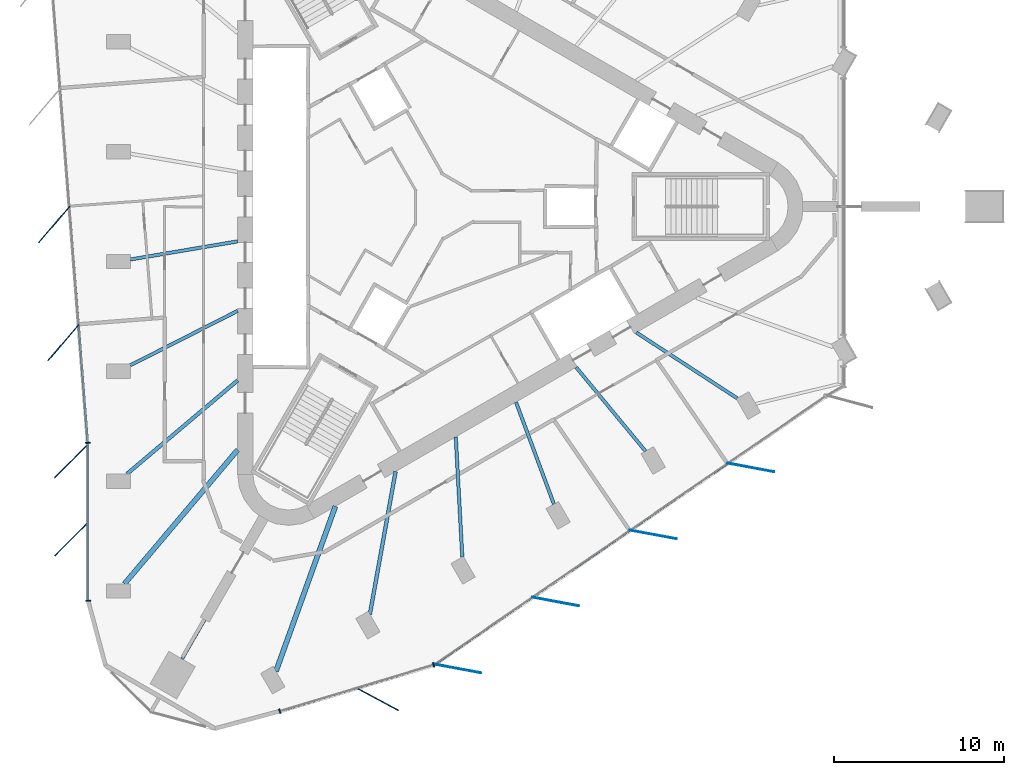
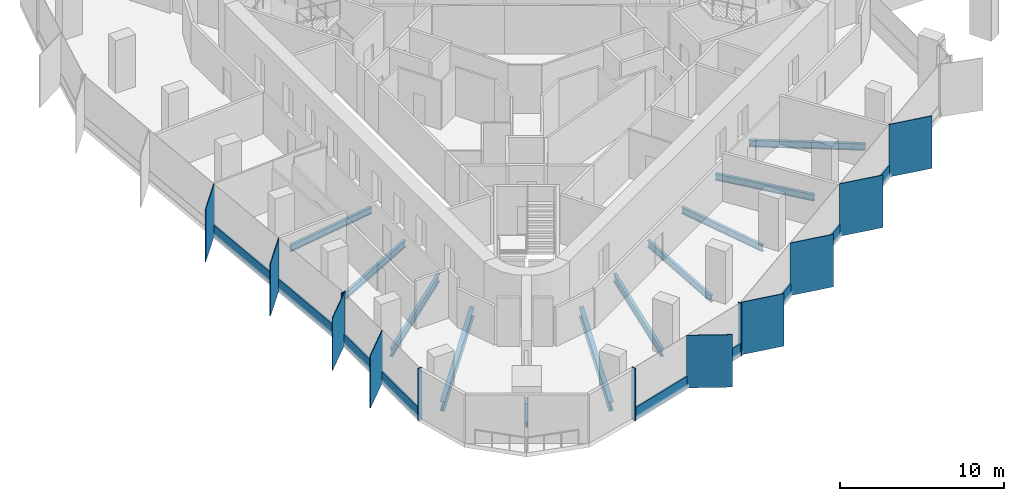
# One storey, part 2 of 12: 22 members, 11 beams, 4 elements without a shape of their own.
"""IFC4 building model written with IfcOpenShell, lengths in metres."""

import ifcopenshell
import ifcopenshell.guid

model = None  # the IFC model being written
_history = None  # IfcOwnerHistory: only IFC2X3 demands one
_inside = {}  # id of a spatial element -> (the spatial element, [elements in it])
_under = {}  # id of a project, library or spatial element -> (it, [spatial elements below it])
_declared = {}  # id of a project -> (the project, [libraries it declares])
_typed = {}  # id of a type object -> (the type object, [elements of that type])
_made_of = {}  # id of a material, layer set ... -> (it, [elements and type objects made of it])


def new_model(schema):
    """Start an empty IFC model of exactly this schema.

    Asked for "IFC4X3", IfcOpenShell would pick the latest addendum, in which some entities
    have other attributes; the version numbers below select the first issue.
    IFC2X3 requires an IfcOwnerHistory on every rooted entity: one is made here for all.
    """
    global model, _history
    if schema == "IFC4X3":
        model = ifcopenshell.file(schema_version=(4, 3, 0, 0))
    else:
        model = ifcopenshell.file(schema=schema)
    _inside.clear()
    _under.clear()
    _declared.clear()
    _typed.clear()
    _made_of.clear()
    _history = None
    if model.schema == "IFC2X3":
        org = make("IfcOrganization", Name="unknown")
        user = make(
            "IfcPersonAndOrganization",
            ThePerson=make("IfcPerson", FamilyName="unknown"),
            TheOrganization=org,
        )
        app = make(
            "IfcApplication",
            ApplicationDeveloper=org,
            Version="unknown",
            ApplicationFullName="unknown",
            ApplicationIdentifier="unknown",
        )
        _history = make(
            "IfcOwnerHistory",
            OwningUser=user,
            OwningApplication=app,
            ChangeAction="ADDED",
            CreationDate=0,
        )
    return model


def make(cls, **values):
    """One entity of the class cls with the attributes given. An attribute that is None is left unset."""
    return model.create_entity(
        cls, **{name: value for name, value in values.items() if value is not None}
    )


def rooted(cls, **values):
    """An entity with a GlobalId (a new one), such as an element, a storey or a relation."""
    return make(cls, GlobalId=ifcopenshell.guid.new(), OwnerHistory=_history, **values)


def si_unit(unit_type, name, prefix=None):
    """IfcSIUnit, for example si_unit("LENGTHUNIT", "METRE", prefix="MILLI")."""
    return make("IfcSIUnit", UnitType=unit_type, Prefix=prefix, Name=name)


def assignment(units):
    """IfcUnitAssignment: the units of a project."""
    return None if units is None else make("IfcUnitAssignment", Units=units)


def point(xyz):
    """IfcCartesianPoint."""
    return None if xyz is None else make("IfcCartesianPoint", Coordinates=xyz)


def direction(xyz):
    """IfcDirection."""
    return None if xyz is None else make("IfcDirection", DirectionRatios=xyz)


def frame(location, z_axis=None, x_axis=None):
    """IfcAxis2Placement3D, a coordinate frame: its origin and axes. An axis left out is left unset."""
    return make(
        "IfcAxis2Placement3D",
        Location=point(location),
        Axis=direction(z_axis),
        RefDirection=direction(x_axis),
    )


def frame_2d(location, x_axis=None):
    """IfcAxis2Placement2D, a coordinate frame in the plane: its origin and x axis."""
    return make(
        "IfcAxis2Placement2D", Location=point(location), RefDirection=direction(x_axis)
    )


def origin():
    """The frame at (0, 0, 0) with its axes left unset."""
    return frame((0.0, 0.0, 0.0))


def origin_2d():
    """The frame at (0, 0) in the plane with its x axis left unset."""
    return frame_2d((0.0, 0.0))


def place(relative_to, where):
    """IfcLocalPlacement: puts the frame where relative to a parent placement (None: the world)."""
    return make(
        "IfcLocalPlacement", PlacementRelTo=relative_to, RelativePlacement=where
    )


def context(
    kind, dimensions, precision=None, world=None, true_north=None, identifier=None
):
    """IfcGeometricRepresentationContext, for example the 3D "Model" context."""
    return make(
        "IfcGeometricRepresentationContext",
        ContextIdentifier=identifier,
        ContextType=kind,
        CoordinateSpaceDimension=dimensions,
        Precision=precision,
        WorldCoordinateSystem=world,
        TrueNorth=true_north,
    )


def subcontext(parent, identifier, kind, view, scale=None):
    """IfcGeometricRepresentationSubContext, for example "Body" below "Model"."""
    return make(
        "IfcGeometricRepresentationSubContext",
        ContextIdentifier=identifier,
        ContextType=kind,
        ParentContext=parent,
        TargetScale=scale,
        TargetView=view,
    )


def project(units=None, contexts=None):
    """IfcProject with its units and contexts."""
    return rooted(
        "IfcProject",
        Name="project",
        RepresentationContexts=contexts,
        UnitsInContext=assignment(units),
    )


def spatial(cls, under=None, at=None, **own):
    """A site, building, storey or space (cls), placed at a placement, below another one or the project."""
    s = rooted(cls, ObjectPlacement=at, **own)
    if under is not None:
        _under.setdefault(under.id(), (under, []))[1].append(s)
    return s


def profile(cls, at=None, kind="AREA", **sizes):
    """A parametric profile (cls). Its sizes go by their IFC names, for example OverallWidth=200.0."""
    return make(cls, ProfileType=kind, Position=at, **sizes)


def rectangle(**sizes):
    """IfcRectangleProfileDef."""
    return profile("IfcRectangleProfileDef", **sizes)


def i_section(**sizes):
    """IfcIShapeProfileDef."""
    return profile("IfcIShapeProfileDef", **sizes)


def extrude(swept, where, along, depth):
    """IfcExtrudedAreaSolid: the profile swept, set in the frame where, extruded along a direction by depth."""
    return make(
        "IfcExtrudedAreaSolid",
        SweptArea=swept,
        Position=where,
        ExtrudedDirection=direction(along),
        Depth=depth,
    )


def shape(context_of_items, identifier, shape_type, items):
    """IfcShapeRepresentation: the items that make up one representation, for example the "Body"."""
    return make(
        "IfcShapeRepresentation",
        ContextOfItems=context_of_items,
        RepresentationIdentifier=identifier,
        RepresentationType=shape_type,
        Items=items,
    )


def material(Name=None, Category=None):
    """IfcMaterial."""
    return make("IfcMaterial", Name=Name, Category=Category)


def material_profile(
    of_material, cross_section, Name=None, Category=None, Priority=None
):
    """IfcMaterialProfile: a cross section and its material."""
    return make(
        "IfcMaterialProfile",
        Name=Name,
        Material=of_material,
        Profile=cross_section,
        Priority=Priority,
        Category=Category,
    )


def profile_set(profiles, Name=None, composite=None):
    """IfcMaterialProfileSet."""
    return make(
        "IfcMaterialProfileSet",
        Name=Name,
        MaterialProfiles=profiles,
        CompositeProfile=composite,
    )


def made_of(thing, what):
    """Note that an element or type object is made of a material, layer set ...; save() writes the relation."""
    if what is not None:
        _made_of.setdefault(what.id(), (what, []))[1].append(thing)
    return thing


def type_object(cls, material=None, **own):
    """A type object (cls), such as IfcWallType, which elements share."""
    return made_of(rooted(cls, **own), material)


def element(
    cls,
    number,
    at=None,
    inside=None,
    cuts=None,
    type_object=None,
    material=None,
    context=None,
    identifier="Body",
    shape_type=None,
    held_by="IfcProductDefinitionShape",
    body=None,
    shapes=None,
    **own,
):
    """One element of the class cls, such as IfcWall. Its Tag is "e" and its number.

    at: its placement. inside: the storey or other place that contains it. cuts: it is an
    opening in that element (IfcRelVoidsElement). A single representation is given by context,
    identifier, shape_type and body (its items); several are given by shapes. held_by: the class
    of the entity that holds the representations. save() writes the other relations.
    """
    e = rooted(cls, Tag="e%d" % number, ObjectPlacement=at, **own)
    if body is not None:
        shapes = [shape(context, identifier, shape_type, body)]
    if shapes is not None:
        e.Representation = make(held_by, Representations=shapes)
    if inside is not None:
        _inside.setdefault(inside.id(), (inside, []))[1].append(e)
    if cuts is not None:
        rooted(
            "IfcRelVoidsElement", RelatingBuildingElement=cuts, RelatedOpeningElement=e
        )
    if type_object is not None:
        _typed.setdefault(type_object.id(), (type_object, []))[1].append(e)
    return made_of(e, material)


def aggregate(whole, parts):
    """IfcRelAggregates: a whole, such as a stair, and the parts it consists of."""
    return rooted("IfcRelAggregates", RelatingObject=whole, RelatedObjects=parts)


def save(model, path):
    """Write the relations noted so far, then the file.

    IfcRelAggregates (storeys below a building ...), IfcRelContainedInSpatialStructure (elements
    in a storey), IfcRelDefinesByType, IfcRelAssociatesMaterial and IfcRelDeclares: one each for
    every whole, place, type object, material and project.
    """
    for whole, parts in _under.values():
        aggregate(whole, parts)
    for where, things in _inside.values():
        rooted(
            "IfcRelContainedInSpatialStructure",
            RelatedElements=things,
            RelatingStructure=where,
        )
    for kind, things in _typed.values():
        rooted("IfcRelDefinesByType", RelatedObjects=things, RelatingType=kind)
    for what, things in _made_of.values():
        rooted("IfcRelAssociatesMaterial", RelatedObjects=things, RelatingMaterial=what)
    for by, libraries in _declared.values():
        rooted("IfcRelDeclares", RelatingContext=by, RelatedDefinitions=libraries)
    model.write(path)


model = new_model("IFC4")

# Units and contexts
model_context = context("Model", 3, precision=1e-05, world=origin(), true_north=direction((0.0, 1.0)))
body_context = subcontext(model_context, "Body", "Model", "MODEL_VIEW")
ifc_project = project(units=[si_unit("LENGTHUNIT", "METRE"), si_unit("AREAUNIT", "SQUARE_METRE"), si_unit("VOLUMEUNIT", "CUBIC_METRE"), si_unit("PLANEANGLEUNIT", "RADIAN"), si_unit("MASSUNIT", "GRAM", prefix="KILO")], contexts=[model_context])

# Site, building, storey
site_placement = place(None, origin())
site = spatial("IfcSite", under=ifc_project, at=site_placement, CompositionType="ELEMENT")
building_placement = place(site_placement, origin())
building = spatial("IfcBuilding", under=site, at=building_placement, Name="Tanit Gate Tower", CompositionType="ELEMENT")
storey_placement = place(building_placement, frame((0.0, 0.0, 376.699951171875)))
storey = spatial("IfcBuildingStorey", under=building, at=storey_placement, Name="L86", CompositionType="ELEMENT", Elevation=376.699951171875)

# Curtain wall, members
ifc_material_1 = material(Name="Aluminium bronze anodised and glass", Category="aluminium")
curtain_wall_type = type_object("IfcCurtainWallType", Name="Curtain wall typical high", PredefinedType="NOTDEFINED", material=ifc_material_1)
curtain_wall_1_placement = place(storey_placement, origin())
curtain_wall_1 = element("IfcCurtainWall", 1, at=curtain_wall_1_placement, inside=storey, type_object=curtain_wall_type, Name="Curtain wall L86 W2", PredefinedType="NOTDEFINED")
ifc_material_2 = material(Name="Aluminium bronze anodised", Category="aluminium")
ifc_material_profile_1 = material_profile(ifc_material_2, rectangle(XDim=2.800048828125, YDim=0.055908203125, at=origin_2d()), Name="56x2800 bronze fin mullion")
ifc_profile_set_1 = profile_set([ifc_material_profile_1], Name="Aluminium bronze anodised")
member_type_1 = type_object("IfcMemberType", Name="FIN MULLION 56x2800 bronze", PredefinedType="MULLION", material=ifc_profile_set_1)
member_1_placement = place(storey_placement, frame((-22.896484375, -1.051025390625, -0.300048828125), z_axis=(0.0, 0.0, 1.0), x_axis=(0.650025975428, 0.75991198916, 0.0)))
member_1 = element("IfcMember", 2, at=member_1_placement, type_object=member_type_1, Name="Fin mullion L86 W2.3", PredefinedType="MULLION", context=body_context, shape_type="SweptSolid", body=[
    extrude(rectangle(XDim=2.800048828125, YDim=0.055908203125, at=origin_2d()), origin(), (0.0, 0.0, 1.0), 3.900146484375),
])
member_2_placement = place(storey_placement, frame((-22.354736328125, -8.002685546875, -0.300048828125), z_axis=(0.0, 0.0, 1.0), x_axis=(0.650025975428, 0.75991198916, 0.0)))
member_2 = element("IfcMember", 3, at=member_2_placement, type_object=member_type_1, Name="Fin mullion L86 W2.4", PredefinedType="MULLION", context=body_context, shape_type="SweptSolid", body=[
    extrude(rectangle(XDim=2.800048828125, YDim=0.055908203125, at=origin_2d()), origin(), (0.0, 0.0, 1.0), 3.900146484375),
])

curtain_wall_2_placement = place(storey_placement, origin())
curtain_wall_2 = element("IfcCurtainWall", 4, at=curtain_wall_2_placement, inside=storey, type_object=curtain_wall_type, Name="Curtain wall L86 W3", PredefinedType="NOTDEFINED")
member_3_placement = place(storey_placement, frame((-21.88720703125, -14.962890625, -0.300048828125), z_axis=(0.0, 0.0, 1.0), x_axis=(0.706136122136, 0.70807610962, 0.0)))
member_3 = element("IfcMember", 5, at=member_3_placement, type_object=member_type_1, Name="Fin mullion L86 W3.1", PredefinedType="MULLION", context=body_context, shape_type="SweptSolid", body=[
    extrude(rectangle(XDim=2.800048828125, YDim=0.055908203125, at=origin_2d()), origin(), (0.0, 0.0, 1.0), 3.900146484375),
])
member_4_placement = place(storey_placement, frame((-21.880859375, -19.5673828125, -0.300048828125), z_axis=(0.0, 0.0, 1.0), x_axis=(0.706136122136, 0.70807610962, 0.0)))
member_4 = element("IfcMember", 6, at=member_4_placement, type_object=member_type_1, Name="Fin mullion L86 W3.2", PredefinedType="MULLION", context=body_context, shape_type="SweptSolid", body=[
    extrude(rectangle(XDim=2.800048828125, YDim=0.055908203125, at=origin_2d()), origin(), (0.0, 0.0, 1.0), 3.900146484375),
])

# Curtain wall, member
curtain_wall_3_placement = place(storey_placement, origin())
curtain_wall_3 = element("IfcCurtainWall", 7, at=curtain_wall_3_placement, inside=storey, type_object=curtain_wall_type, Name="Curtain wall L86 SE1", PredefinedType="NOTDEFINED")
member_5_placement = place(storey_placement, frame((-3.87841796875, -28.991455078125, -0.300048828125), z_axis=(0.0, 0.0, 1.0), x_axis=(-0.881019262525, 0.473080393866, 0.0)))
member_5 = element("IfcMember", 8, at=member_5_placement, type_object=member_type_1, Name="Fin mullion L86 SE1.2", PredefinedType="MULLION", context=body_context, shape_type="SweptSolid", body=[
    extrude(rectangle(XDim=2.800048828125, YDim=0.055908203125, at=origin_2d()), origin(), (0.0, 0.0, 1.0), 3.900146484375),
])

# Curtain wall, members
curtain_wall_4_placement = place(storey_placement, origin())
curtain_wall_4 = element("IfcCurtainWall", 9, at=curtain_wall_4_placement, inside=storey, type_object=curtain_wall_type, Name="Curtain wall L86 SE2", PredefinedType="NOTDEFINED")
member_6_placement = place(storey_placement, frame((0.859619140625, -27.193603515625, -0.300048828125), z_axis=(0.0, 0.0, 1.0), x_axis=(-0.983116074967, 0.182983013261, 0.0)))
member_6 = element("IfcMember", 10, at=member_6_placement, type_object=member_type_1, Name="Fin mullion L86 SE2.1", PredefinedType="MULLION", context=body_context, shape_type="SweptSolid", body=[
    extrude(rectangle(XDim=2.800048828125, YDim=0.055908203125, at=origin_2d()), origin(), (0.0, 0.0, 1.0), 3.900146484375),
])
member_7_placement = place(storey_placement, frame((6.609130859375, -23.24853515625, -0.300048828125), z_axis=(0.0, 0.0, 1.0), x_axis=(-0.983116074967, 0.182983013261, 0.0)))
member_7 = element("IfcMember", 11, at=member_7_placement, type_object=member_type_1, Name="Fin mullion L86 SE2.2", PredefinedType="MULLION", context=body_context, shape_type="SweptSolid", body=[
    extrude(rectangle(XDim=2.800048828125, YDim=0.055908203125, at=origin_2d()), origin(), (0.0, 0.0, 1.0), 3.900146484375),
])
member_8_placement = place(storey_placement, frame((12.358642578125, -19.303466796875, -0.300048828125), z_axis=(0.0, 0.0, 1.0), x_axis=(-0.983116074967, 0.182983013261, 0.0)))
member_8 = element("IfcMember", 12, at=member_8_placement, type_object=member_type_1, Name="Fin mullion L86 SE2.3", PredefinedType="MULLION", context=body_context, shape_type="SweptSolid", body=[
    extrude(rectangle(XDim=2.800048828125, YDim=0.055908203125, at=origin_2d()), origin(), (0.0, 0.0, 1.0), 3.900146484375),
])
member_9_placement = place(storey_placement, frame((18.10791015625, -15.3583984375, -0.300048828125), z_axis=(0.0, 0.0, 1.0), x_axis=(-0.983116074967, 0.182983013261, 0.0)))
member_9 = element("IfcMember", 13, at=member_9_placement, type_object=member_type_1, Name="Fin mullion L86 SE2.4", PredefinedType="MULLION", context=body_context, shape_type="SweptSolid", body=[
    extrude(rectangle(XDim=2.800048828125, YDim=0.055908203125, at=origin_2d()), origin(), (0.0, 0.0, 1.0), 3.900146484375),
])

# Member
ifc_material_3 = material(Name="Aluminium bronze anodised", Category="aluminium")
ifc_material_profile_2 = material_profile(ifc_material_3, rectangle(XDim=0.280029296875, YDim=0.080078125, at=origin_2d()), Name="80x280 bronze mullion")
ifc_profile_set_2 = profile_set([ifc_material_profile_2], Name="Aluminium bronze anodised")
member_type_2 = type_object("IfcMemberType", Name="Mullion 80x280 typical high", PredefinedType="MULLION", material=ifc_profile_set_2)
member_10_placement = place(storey_placement, frame((-20.915771484375, -13.90576171875, -0.300048828125), z_axis=(0.0, 0.0, 1.0), x_axis=(0.996976695812, 0.077701145467, 0.0)))
member_10 = element("IfcMember", 14, at=member_10_placement, type_object=member_type_2, Name="Mullion L86 W2.5", PredefinedType="MULLION", context=body_context, shape_type="SweptSolid", body=[
    extrude(rectangle(XDim=0.280029296875, YDim=0.080078125, at=origin_2d()), origin(), (0.0, 0.0, 1.0), 3.900146484375),
])

member_11_placement = place(storey_placement, frame((-20.89990234375, -23.194580078125, -0.300048828125), z_axis=(0.0, 0.0, 1.0), x_axis=(0.999999059112, 0.001371778306, 0.0)))
member_11 = element("IfcMember", 15, at=member_11_placement, type_object=member_type_2, Name="Mullion L86 W3.3", PredefinedType="MULLION", context=body_context, shape_type="SweptSolid", body=[
    extrude(rectangle(XDim=0.280029296875, YDim=0.080078125, at=origin_2d()), origin(), (0.0, 0.0, 1.0), 3.900146484375),
])

member_12_placement = place(storey_placement, frame((-9.6201171875, -29.7021484375, -0.300048828125), z_axis=(0.0, 0.0, 1.0), x_axis=(-0.288456340338, 0.957493049436, 0.0)))
member_12 = element("IfcMember", 16, at=member_12_placement, type_object=member_type_2, Name="Mullion L86 SE1.1", PredefinedType="MULLION", context=body_context, shape_type="SweptSolid", body=[
    extrude(rectangle(XDim=0.280029296875, YDim=0.080078125, at=origin_2d()), origin(), (0.0, 0.0, 1.0), 3.900146484375),
])

member_13_placement = place(storey_placement, frame((-0.568603515625, -26.97509765625, -0.300048828125), z_axis=(0.0, 0.0, 1.0), x_axis=(-0.288456340338, 0.957493049436, 0.0)))
member_13 = element("IfcMember", 17, at=member_13_placement, type_object=member_type_2, Name="Mullion L86 SE1.3", PredefinedType="MULLION", context=body_context, shape_type="SweptSolid", body=[
    extrude(rectangle(XDim=0.280029296875, YDim=0.080078125, at=origin_2d()), origin(), (0.0, 0.0, 1.0), 3.900146484375),
])

# Beams
ifc_material_4 = material(Name="Steel S355", Category="steel")
ifc_material_profile_3 = material_profile(ifc_material_4, i_section(OverallWidth=0.300048828125, OverallDepth=0.68994140625, WebThickness=0.014404296875, FlangeThickness=0.027099609375, FilletRadius=0.027099609375, at=origin_2d()), Name="HEA 700")
ifc_profile_set_3 = profile_set([ifc_material_profile_3], Name="Steel S355")
beam_type_1 = type_object("IfcBeamType", Name="RADIAL GIRDER HEA 700 S355", PredefinedType="BEAM", material=ifc_profile_set_3)
beam_1_placement = place(storey_placement, frame((-18.7607421875, -22.198486328125, -0.64501953125), z_axis=(0.645485929832, 0.763772161308, 0.0), x_axis=(-0.763772161308, 0.645485929832, 0.0)))
element("IfcBeam", 18, at=beam_1_placement, inside=storey, type_object=beam_type_1, Name="RADIAL GIRDER", PredefinedType="BEAM", context=body_context, shape_type="SweptSolid", body=[
    extrude(i_section(OverallWidth=0.300048828125, OverallDepth=0.68994140625, WebThickness=0.014404296875, FlangeThickness=0.027099609375, FilletRadius=0.027099609375, at=origin_2d()), origin(), (0.0, 0.0, 1.0), 10.315673828125),
])
beam_2_placement = place(storey_placement, frame((-9.84423828125, -27.346435546875, -0.64501953125), z_axis=(0.338716116064, 0.940888618657, 0.0), x_axis=(-0.940888618657, 0.338716116064, 0.0)))
element("IfcBeam", 19, at=beam_2_placement, inside=storey, type_object=beam_type_1, Name="RADIAL GIRDER", PredefinedType="BEAM", context=body_context, shape_type="SweptSolid", body=[
    extrude(i_section(OverallWidth=0.300048828125, OverallDepth=0.68994140625, WebThickness=0.014404296875, FlangeThickness=0.027099609375, FilletRadius=0.027099609375, at=origin_2d()), origin(), (0.0, 0.0, 1.0), 10.31591796875),
])
ifc_material_5 = material(Name="Steel S355", Category="steel")
ifc_material_profile_4 = material_profile(ifc_material_5, i_section(OverallWidth=0.179931640625, OverallDepth=0.39990234375, WebThickness=0.008544921875, FlangeThickness=0.013427734375, FilletRadius=0.02099609375, at=origin_2d()), Name="IPE 400")
ifc_profile_set_4 = profile_set([ifc_material_profile_4], Name="Steel S355")
beam_type_2 = type_object("IfcBeamType", Name="RADIAL GIRDER IPE 400 S355", PredefinedType="BEAM", material=ifc_profile_set_4)
beam_3_placement = place(storey_placement, frame((-15.371826171875, -26.624755859375, -0.5), z_axis=(0.500020336772, 0.866013662025, 0.0), x_axis=(-0.866013662025, 0.500020336772, 0.0)))
element("IfcBeam", 20, at=beam_3_placement, inside=storey, type_object=beam_type_2, Name="RADIAL GIRDER", PredefinedType="BEAM", context=body_context, shape_type="SweptSolid", body=[
    extrude(i_section(OverallWidth=0.179931640625, OverallDepth=0.39990234375, WebThickness=0.008544921875, FlangeThickness=0.013427734375, FilletRadius=0.02099609375, at=origin_2d()), origin(), (0.0, 0.0, 1.0), 2.67236328125),
])
ifc_material_6 = material(Name="Steel S355", Category="steel")
ifc_material_profile_5 = material_profile(ifc_material_6, i_section(OverallWidth=0.199951171875, OverallDepth=0.5, WebThickness=0.01025390625, FlangeThickness=0.01611328125, FilletRadius=0.02099609375, at=origin_2d()), Name="IPE 500")
ifc_profile_set_5 = profile_set([ifc_material_profile_5], Name="Steel S355")
beam_type_3 = type_object("IfcBeamType", Name="RADIAL GIRDER IPE 500 S355", PredefinedType="BEAM", material=ifc_profile_set_5)
beam_4_placement = place(storey_placement, frame((-18.419921875, -3.113525390625, -0.550048828125), z_axis=(0.986014426504, 0.166659985375, 0.0), x_axis=(-0.166659985375, 0.986014426504, 0.0)))
element("IfcBeam", 21, at=beam_4_placement, inside=storey, type_object=beam_type_3, Name="RADIAL GIRDER", PredefinedType="BEAM", context=body_context, shape_type="SweptSolid", body=[
    extrude(i_section(OverallWidth=0.199951171875, OverallDepth=0.5, WebThickness=0.01025390625, FlangeThickness=0.01611328125, FilletRadius=0.02099609375, at=origin_2d()), origin(), (0.0, 0.0, 1.0), 6.407470703125),
])
beam_5_placement = place(storey_placement, frame((-18.419921875, -9.3408203125, -0.550048828125), z_axis=(0.891876205065, 0.452279598078, 0.0), x_axis=(-0.452279598078, 0.891876205065, 0.0)))
element("IfcBeam", 22, at=beam_5_placement, inside=storey, type_object=beam_type_3, Name="RADIAL GIRDER", PredefinedType="BEAM", context=body_context, shape_type="SweptSolid", body=[
    extrude(i_section(OverallWidth=0.199951171875, OverallDepth=0.5, WebThickness=0.01025390625, FlangeThickness=0.01611328125, FilletRadius=0.02099609375, at=origin_2d()), origin(), (0.0, 0.0, 1.0), 7.083740234375),
])
beam_6_placement = place(storey_placement, frame((1.12060546875, -20.62255859375, -0.550048828125), z_axis=(-0.054280812933, 0.998525709908, 0.0), x_axis=(-0.998525709908, -0.054280812933, 0.0)))
element("IfcBeam", 23, at=beam_6_placement, inside=storey, type_object=beam_type_3, Name="RADIAL GIRDER", PredefinedType="BEAM", context=body_context, shape_type="SweptSolid", body=[
    extrude(i_section(OverallWidth=0.199951171875, OverallDepth=0.5, WebThickness=0.01025390625, FlangeThickness=0.01611328125, FilletRadius=0.02099609375, at=origin_2d()), origin(), (0.0, 0.0, 1.0), 7.083984375),
])
beam_7_placement = place(storey_placement, frame((6.513427734375, -17.5087890625, -0.550048828125), z_axis=(-0.348675335888, 0.93724357034, 0.0), x_axis=(-0.93724357034, -0.348675335888, 0.0)))
element("IfcBeam", 24, at=beam_7_placement, inside=storey, type_object=beam_type_3, Name="RADIAL GIRDER", PredefinedType="BEAM", context=body_context, shape_type="SweptSolid", body=[
    extrude(i_section(OverallWidth=0.199951171875, OverallDepth=0.5, WebThickness=0.01025390625, FlangeThickness=0.01611328125, FilletRadius=0.02099609375, at=origin_2d()), origin(), (0.0, 0.0, 1.0), 6.407470703125),
])
beam_8_placement = place(storey_placement, frame((11.906494140625, -14.395263671875, -0.550048828125), z_axis=(-0.637361830259, 0.770564661355, 0.0), x_axis=(-0.770564661355, -0.637361830259, 0.0)))
element("IfcBeam", 25, at=beam_8_placement, inside=storey, type_object=beam_type_3, Name="RADIAL GIRDER", PredefinedType="BEAM", context=body_context, shape_type="SweptSolid", body=[
    extrude(i_section(OverallWidth=0.199951171875, OverallDepth=0.5, WebThickness=0.01025390625, FlangeThickness=0.01611328125, FilletRadius=0.02099609375, at=origin_2d()), origin(), (0.0, 0.0, 1.0), 6.40771484375),
])
beam_9_placement = place(storey_placement, frame((17.29931640625, -11.28173828125, -0.550048828125), z_axis=(-0.837617453042, 0.546257267557, 0.0), x_axis=(-0.546257267557, -0.837617453042, 0.0)))
element("IfcBeam", 26, at=beam_9_placement, inside=storey, type_object=beam_type_3, Name="RADIAL GIRDER", PredefinedType="BEAM", context=body_context, shape_type="SweptSolid", body=[
    extrude(i_section(OverallWidth=0.199951171875, OverallDepth=0.5, WebThickness=0.01025390625, FlangeThickness=0.01611328125, FilletRadius=0.02099609375, at=origin_2d()), origin(), (0.0, 0.0, 1.0), 7.083984375),
])
ifc_material_7 = material(Name="Steel S355", Category="steel")
ifc_material_profile_6 = material_profile(ifc_material_7, i_section(OverallWidth=0.219970703125, OverallDepth=0.60009765625, WebThickness=0.011962890625, FlangeThickness=0.01904296875, FilletRadius=0.02392578125, at=origin_2d()), Name="IPE 600")
ifc_profile_set_6 = profile_set([ifc_material_profile_6], Name="Steel S355")
beam_type_4 = type_object("IfcBeamType", Name="RADIAL GIRDER IPE 600 S355", PredefinedType="BEAM", material=ifc_profile_set_6)
beam_10_placement = place(storey_placement, frame((-18.616943359375, -15.734619140625, -0.599853515625), z_axis=(0.763747676896, 0.645514899933, 0.0), x_axis=(-0.645514899933, 0.763747676896, 0.0)))
element("IfcBeam", 27, at=beam_10_placement, inside=storey, type_object=beam_type_4, Name="RADIAL GIRDER", PredefinedType="BEAM", context=body_context, shape_type="SweptSolid", body=[
    extrude(i_section(OverallWidth=0.219970703125, OverallDepth=0.60009765625, WebThickness=0.011962890625, FlangeThickness=0.01904296875, FilletRadius=0.02392578125, at=origin_2d()), origin(), (0.0, 0.0, 1.0), 8.5302734375),
])
beam_11_placement = place(storey_placement, frame((-4.318115234375, -23.990234375, -0.599853515625), z_axis=(0.177157433794, 0.984182525577, 0.0), x_axis=(-0.984182525577, 0.177157433794, 0.0)))
element("IfcBeam", 28, at=beam_11_placement, inside=storey, type_object=beam_type_4, Name="RADIAL GIRDER", PredefinedType="BEAM", context=body_context, shape_type="SweptSolid", body=[
    extrude(i_section(OverallWidth=0.219970703125, OverallDepth=0.60009765625, WebThickness=0.011962890625, FlangeThickness=0.01904296875, FilletRadius=0.02392578125, at=origin_2d()), origin(), (0.0, 0.0, 1.0), 8.530517578125),
])

# Member
ifc_material_8 = material(Name="Aluminium bronze anodised", Category="aluminium")
ifc_material_profile_7 = material_profile(ifc_material_8, rectangle(XDim=0.1201171875, YDim=0.89990234375, at=origin_2d()), Name="120x900 bronze transom")
ifc_profile_set_7 = profile_set([ifc_material_profile_7], Name="Aluminium bronze anodised")
member_type_3 = type_object("IfcMemberType", Name="Transom 120x900 typical high", PredefinedType="USERDEFINED", material=ifc_profile_set_7)
member_14_placement = place(storey_placement, frame((-21.996337890625, -0.042236328125, 0.150146484375), z_axis=(0.077712188941, -0.996975835058, 0.0), x_axis=(0.996975835058, 0.077712188941, 0.0)))
member_14 = element("IfcMember", 29, at=member_14_placement, type_object=member_type_3, Name="Transom L86 W2.3", ObjectType="TRANSOM", PredefinedType="USERDEFINED", context=body_context, shape_type="SweptSolid", body=[
    extrude(rectangle(XDim=0.1201171875, YDim=0.89990234375, at=origin_2d()), origin(), (0.0, 0.0, 1.0), 6.892578125),
])

member_15_placement = place(storey_placement, frame((-21.454345703125, -6.993896484375, 0.150146484375), z_axis=(0.077676982382, -0.996978578711, 0.0), x_axis=(0.996978578711, 0.077676982382, 0.0)))
member_15 = element("IfcMember", 30, at=member_15_placement, type_object=member_type_3, Name="Transom L86 W2.4", ObjectType="TRANSOM", PredefinedType="USERDEFINED", context=body_context, shape_type="SweptSolid", body=[
    extrude(rectangle(XDim=0.1201171875, YDim=0.89990234375, at=origin_2d()), origin(), (0.0, 0.0, 1.0), 6.892578125),
])

aggregate(curtain_wall_1, [member_1, member_2, member_10, member_14, member_15])

member_16_placement = place(storey_placement, frame((-20.91259765625, -14.025634765625, 0.150146484375), z_axis=(0.001402977251, -0.999999015827, 0.0), x_axis=(0.999999015827, 0.001402977251, 0.0)))
member_16 = element("IfcMember", 31, at=member_16_placement, type_object=member_type_3, Name="Transom L86 W3.1", ObjectType="TRANSOM", PredefinedType="USERDEFINED", context=body_context, shape_type="SweptSolid", body=[
    extrude(rectangle(XDim=0.1201171875, YDim=0.89990234375, at=origin_2d()), origin(), (0.0, 0.0, 1.0), 4.5244140625),
])

member_17_placement = place(storey_placement, frame((-20.90625, -18.630126953125, 0.150146484375), z_axis=(0.001349016687, -0.999999090077, 0.0), x_axis=(0.999999090077, 0.001349016687, 0.0)))
member_17 = element("IfcMember", 32, at=member_17_placement, type_object=member_type_3, Name="Transom L86 W3.2", ObjectType="TRANSOM", PredefinedType="USERDEFINED", context=body_context, shape_type="SweptSolid", body=[
    extrude(rectangle(XDim=0.1201171875, YDim=0.89990234375, at=origin_2d()), origin(), (0.0, 0.0, 1.0), 4.5244140625),
])

aggregate(curtain_wall_2, [member_3, member_4, member_11, member_16, member_17])

member_18_placement = place(storey_placement, frame((-9.581787109375, -29.6904296875, 0.150146484375), z_axis=(0.957495951761, 0.288446706276, 0.0), x_axis=(-0.288446706276, 0.957495951761, 0.0)))
member_18 = element("IfcMember", 33, at=member_18_placement, type_object=member_type_3, Name="Transom L86 SE1.1", ObjectType="TRANSOM", PredefinedType="USERDEFINED", context=body_context, shape_type="SweptSolid", body=[
    extrude(rectangle(XDim=0.1201171875, YDim=0.89990234375, at=origin_2d()), origin(), (0.0, 0.0, 1.0), 4.646728515625),
])

member_19_placement = place(storey_placement, frame((-5.05615234375, -28.3271484375, 0.150146484375), z_axis=(0.957495951761, 0.288446706276, 0.0), x_axis=(-0.288446706276, 0.957495951761, 0.0)))
member_19 = element("IfcMember", 34, at=member_19_placement, type_object=member_type_3, Name="Transom L86 SE1.2", ObjectType="TRANSOM", PredefinedType="USERDEFINED", context=body_context, shape_type="SweptSolid", body=[
    extrude(rectangle(XDim=0.1201171875, YDim=0.89990234375, at=origin_2d()), origin(), (0.0, 0.0, 1.0), 4.646728515625),
])

aggregate(curtain_wall_3, [member_12, member_5, member_13, member_18, member_19])

member_20_placement = place(storey_placement, frame((-0.46435546875, -26.91845703125, 0.150146484375), z_axis=(0.824554175841, 0.565783007083, 0.0), x_axis=(-0.565783007083, 0.824554175841, 0.0)))
member_20 = element("IfcMember", 35, at=member_20_placement, type_object=member_type_3, Name="Transom L86 SE2.1", ObjectType="TRANSOM", PredefinedType="USERDEFINED", context=body_context, shape_type="SweptSolid", body=[
    extrude(rectangle(XDim=0.1201171875, YDim=0.89990234375, at=origin_2d()), origin(), (0.0, 0.0, 1.0), 6.892822265625),
])

member_21_placement = place(storey_placement, frame((5.28515625, -22.973388671875, 0.150146484375), z_axis=(0.824554175841, 0.565783007083, 0.0), x_axis=(-0.565783007083, 0.824554175841, 0.0)))
member_21 = element("IfcMember", 36, at=member_21_placement, type_object=member_type_3, Name="Transom L86 SE2.2", ObjectType="TRANSOM", PredefinedType="USERDEFINED", context=body_context, shape_type="SweptSolid", body=[
    extrude(rectangle(XDim=0.1201171875, YDim=0.89990234375, at=origin_2d()), origin(), (0.0, 0.0, 1.0), 6.892822265625),
])

member_22_placement = place(storey_placement, frame((11.03466796875, -19.0283203125, 0.150146484375), z_axis=(0.824554175841, 0.565783007083, 0.0), x_axis=(-0.565783007083, 0.824554175841, 0.0)))
member_22 = element("IfcMember", 37, at=member_22_placement, type_object=member_type_3, Name="Transom L86 SE2.3", ObjectType="TRANSOM", PredefinedType="USERDEFINED", context=body_context, shape_type="SweptSolid", body=[
    extrude(rectangle(XDim=0.1201171875, YDim=0.89990234375, at=origin_2d()), origin(), (0.0, 0.0, 1.0), 6.892822265625),
])

aggregate(curtain_wall_4, [member_6, member_7, member_8, member_9, member_20, member_21, member_22])

save(model, "model.ifc")
